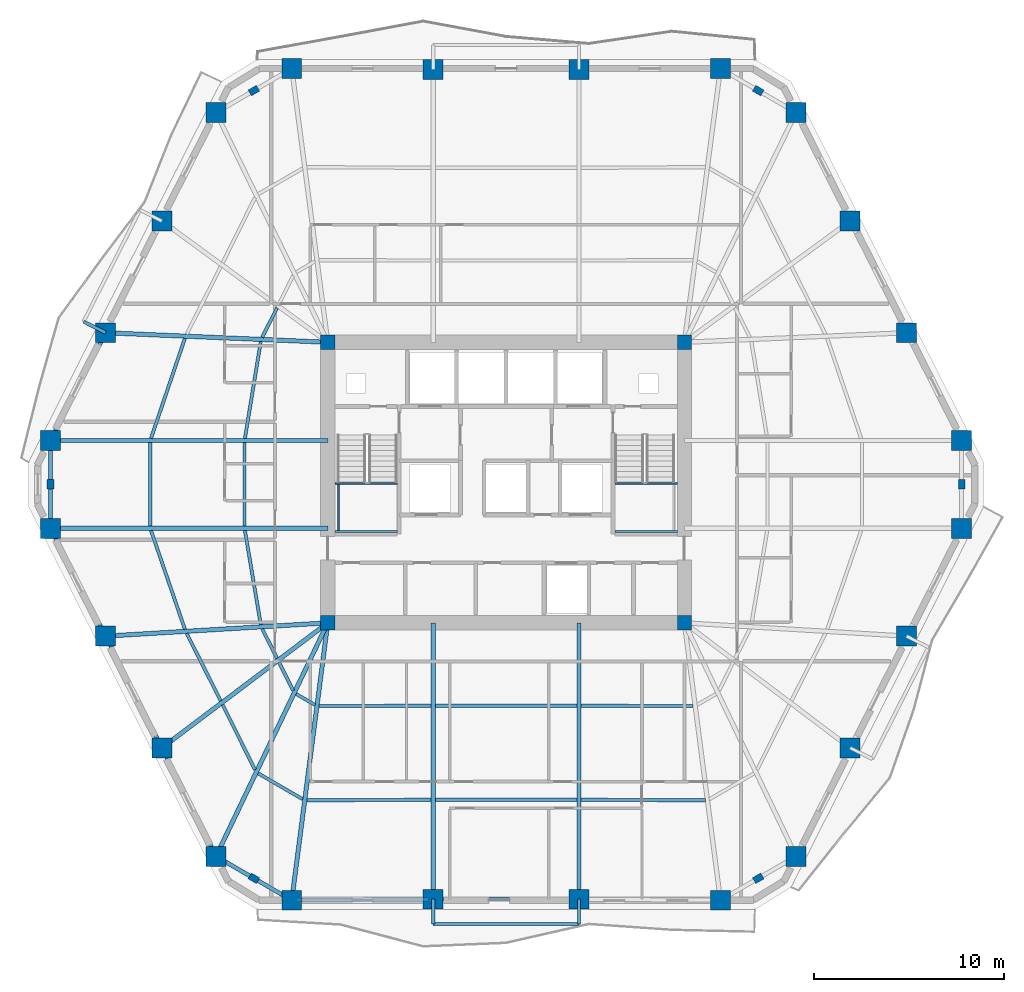
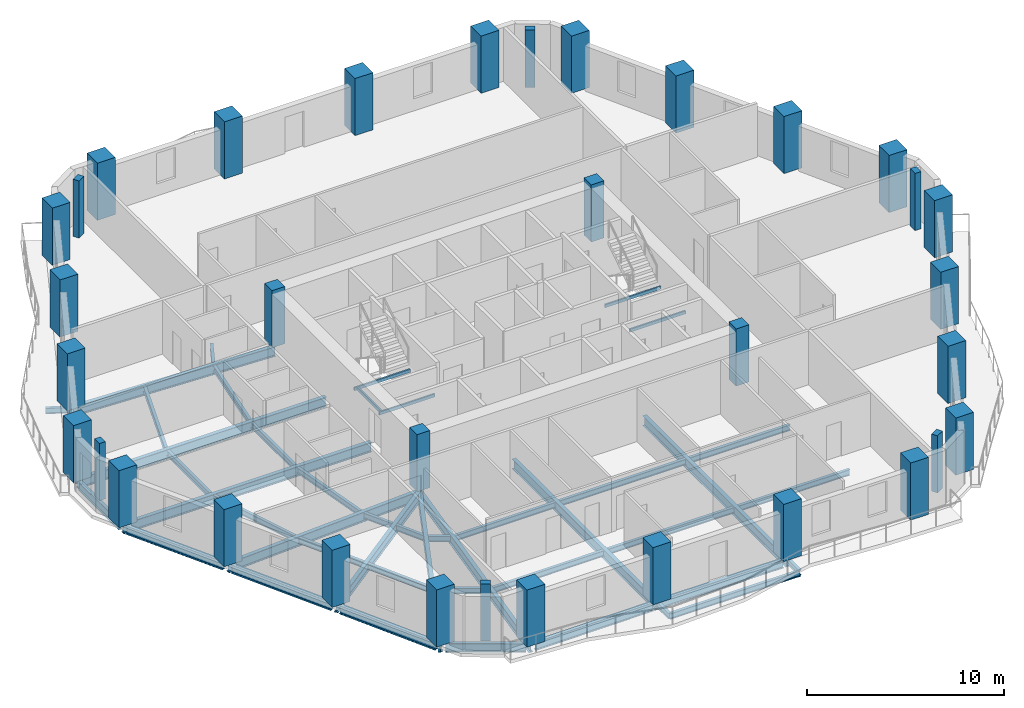
# One storey, part 1 of 10: 45 beams, 34 columns.
"""IFC4 building model written with IfcOpenShell, lengths in metres."""

import ifcopenshell
import ifcopenshell.guid

model = None  # the IFC model being written
_history = None  # IfcOwnerHistory: only IFC2X3 demands one
_inside = {}  # id of a spatial element -> (the spatial element, [elements in it])
_under = {}  # id of a project, library or spatial element -> (it, [spatial elements below it])
_declared = {}  # id of a project -> (the project, [libraries it declares])
_typed = {}  # id of a type object -> (the type object, [elements of that type])
_made_of = {}  # id of a material, layer set ... -> (it, [elements and type objects made of it])


def new_model(schema):
    """Start an empty IFC model of exactly this schema.

    Asked for "IFC4X3", IfcOpenShell would pick the latest addendum, in which some entities
    have other attributes; the version numbers below select the first issue.
    IFC2X3 requires an IfcOwnerHistory on every rooted entity: one is made here for all.
    """
    global model, _history
    if schema == "IFC4X3":
        model = ifcopenshell.file(schema_version=(4, 3, 0, 0))
    else:
        model = ifcopenshell.file(schema=schema)
    _inside.clear()
    _under.clear()
    _declared.clear()
    _typed.clear()
    _made_of.clear()
    _history = None
    if model.schema == "IFC2X3":
        org = make("IfcOrganization", Name="unknown")
        user = make(
            "IfcPersonAndOrganization",
            ThePerson=make("IfcPerson", FamilyName="unknown"),
            TheOrganization=org,
        )
        app = make(
            "IfcApplication",
            ApplicationDeveloper=org,
            Version="unknown",
            ApplicationFullName="unknown",
            ApplicationIdentifier="unknown",
        )
        _history = make(
            "IfcOwnerHistory",
            OwningUser=user,
            OwningApplication=app,
            ChangeAction="ADDED",
            CreationDate=0,
        )
    return model


def make(cls, **values):
    """One entity of the class cls with the attributes given. An attribute that is None is left unset."""
    return model.create_entity(
        cls, **{name: value for name, value in values.items() if value is not None}
    )


def rooted(cls, **values):
    """An entity with a GlobalId (a new one), such as an element, a storey or a relation."""
    return make(cls, GlobalId=ifcopenshell.guid.new(), OwnerHistory=_history, **values)


def si_unit(unit_type, name, prefix=None):
    """IfcSIUnit, for example si_unit("LENGTHUNIT", "METRE", prefix="MILLI")."""
    return make("IfcSIUnit", UnitType=unit_type, Prefix=prefix, Name=name)


def assignment(units):
    """IfcUnitAssignment: the units of a project."""
    return None if units is None else make("IfcUnitAssignment", Units=units)


def point(xyz):
    """IfcCartesianPoint."""
    return None if xyz is None else make("IfcCartesianPoint", Coordinates=xyz)


def direction(xyz):
    """IfcDirection."""
    return None if xyz is None else make("IfcDirection", DirectionRatios=xyz)


def frame(location, z_axis=None, x_axis=None):
    """IfcAxis2Placement3D, a coordinate frame: its origin and axes. An axis left out is left unset."""
    return make(
        "IfcAxis2Placement3D",
        Location=point(location),
        Axis=direction(z_axis),
        RefDirection=direction(x_axis),
    )


def frame_2d(location, x_axis=None):
    """IfcAxis2Placement2D, a coordinate frame in the plane: its origin and x axis."""
    return make(
        "IfcAxis2Placement2D", Location=point(location), RefDirection=direction(x_axis)
    )


def origin():
    """The frame at (0, 0, 0) with its axes left unset."""
    return frame((0.0, 0.0, 0.0))


def origin_2d():
    """The frame at (0, 0) in the plane with its x axis left unset."""
    return frame_2d((0.0, 0.0))


def place(relative_to, where):
    """IfcLocalPlacement: puts the frame where relative to a parent placement (None: the world)."""
    return make(
        "IfcLocalPlacement", PlacementRelTo=relative_to, RelativePlacement=where
    )


def context(
    kind, dimensions, precision=None, world=None, true_north=None, identifier=None
):
    """IfcGeometricRepresentationContext, for example the 3D "Model" context."""
    return make(
        "IfcGeometricRepresentationContext",
        ContextIdentifier=identifier,
        ContextType=kind,
        CoordinateSpaceDimension=dimensions,
        Precision=precision,
        WorldCoordinateSystem=world,
        TrueNorth=true_north,
    )


def subcontext(parent, identifier, kind, view, scale=None):
    """IfcGeometricRepresentationSubContext, for example "Body" below "Model"."""
    return make(
        "IfcGeometricRepresentationSubContext",
        ContextIdentifier=identifier,
        ContextType=kind,
        ParentContext=parent,
        TargetScale=scale,
        TargetView=view,
    )


def project(units=None, contexts=None):
    """IfcProject with its units and contexts."""
    return rooted(
        "IfcProject",
        Name="project",
        RepresentationContexts=contexts,
        UnitsInContext=assignment(units),
    )


def spatial(cls, under=None, at=None, **own):
    """A site, building, storey or space (cls), placed at a placement, below another one or the project."""
    s = rooted(cls, ObjectPlacement=at, **own)
    if under is not None:
        _under.setdefault(under.id(), (under, []))[1].append(s)
    return s


def profile(cls, at=None, kind="AREA", **sizes):
    """A parametric profile (cls). Its sizes go by their IFC names, for example OverallWidth=200.0."""
    return make(cls, ProfileType=kind, Position=at, **sizes)


def rectangle(**sizes):
    """IfcRectangleProfileDef."""
    return profile("IfcRectangleProfileDef", **sizes)


def hollow_rectangle(**sizes):
    """IfcRectangleHollowProfileDef."""
    return profile("IfcRectangleHollowProfileDef", **sizes)


def i_section(**sizes):
    """IfcIShapeProfileDef."""
    return profile("IfcIShapeProfileDef", **sizes)


def extrude(swept, where, along, depth):
    """IfcExtrudedAreaSolid: the profile swept, set in the frame where, extruded along a direction by depth."""
    return make(
        "IfcExtrudedAreaSolid",
        SweptArea=swept,
        Position=where,
        ExtrudedDirection=direction(along),
        Depth=depth,
    )


def shape(context_of_items, identifier, shape_type, items):
    """IfcShapeRepresentation: the items that make up one representation, for example the "Body"."""
    return make(
        "IfcShapeRepresentation",
        ContextOfItems=context_of_items,
        RepresentationIdentifier=identifier,
        RepresentationType=shape_type,
        Items=items,
    )


def material(Name=None, Category=None):
    """IfcMaterial."""
    return make("IfcMaterial", Name=Name, Category=Category)


def material_profile(
    of_material, cross_section, Name=None, Category=None, Priority=None
):
    """IfcMaterialProfile: a cross section and its material."""
    return make(
        "IfcMaterialProfile",
        Name=Name,
        Material=of_material,
        Profile=cross_section,
        Priority=Priority,
        Category=Category,
    )


def profile_set(profiles, Name=None, composite=None):
    """IfcMaterialProfileSet."""
    return make(
        "IfcMaterialProfileSet",
        Name=Name,
        MaterialProfiles=profiles,
        CompositeProfile=composite,
    )


def made_of(thing, what):
    """Note that an element or type object is made of a material, layer set ...; save() writes the relation."""
    if what is not None:
        _made_of.setdefault(what.id(), (what, []))[1].append(thing)
    return thing


def type_object(cls, material=None, **own):
    """A type object (cls), such as IfcWallType, which elements share."""
    return made_of(rooted(cls, **own), material)


def element(
    cls,
    number,
    at=None,
    inside=None,
    cuts=None,
    type_object=None,
    material=None,
    context=None,
    identifier="Body",
    shape_type=None,
    held_by="IfcProductDefinitionShape",
    body=None,
    shapes=None,
    **own,
):
    """One element of the class cls, such as IfcWall. Its Tag is "e" and its number.

    at: its placement. inside: the storey or other place that contains it. cuts: it is an
    opening in that element (IfcRelVoidsElement). A single representation is given by context,
    identifier, shape_type and body (its items); several are given by shapes. held_by: the class
    of the entity that holds the representations. save() writes the other relations.
    """
    e = rooted(cls, Tag="e%d" % number, ObjectPlacement=at, **own)
    if body is not None:
        shapes = [shape(context, identifier, shape_type, body)]
    if shapes is not None:
        e.Representation = make(held_by, Representations=shapes)
    if inside is not None:
        _inside.setdefault(inside.id(), (inside, []))[1].append(e)
    if cuts is not None:
        rooted(
            "IfcRelVoidsElement", RelatingBuildingElement=cuts, RelatedOpeningElement=e
        )
    if type_object is not None:
        _typed.setdefault(type_object.id(), (type_object, []))[1].append(e)
    return made_of(e, material)


def aggregate(whole, parts):
    """IfcRelAggregates: a whole, such as a stair, and the parts it consists of."""
    return rooted("IfcRelAggregates", RelatingObject=whole, RelatedObjects=parts)


def save(model, path):
    """Write the relations noted so far, then the file.

    IfcRelAggregates (storeys below a building ...), IfcRelContainedInSpatialStructure (elements
    in a storey), IfcRelDefinesByType, IfcRelAssociatesMaterial and IfcRelDeclares: one each for
    every whole, place, type object, material and project.
    """
    for whole, parts in _under.values():
        aggregate(whole, parts)
    for where, things in _inside.values():
        rooted(
            "IfcRelContainedInSpatialStructure",
            RelatedElements=things,
            RelatingStructure=where,
        )
    for kind, things in _typed.values():
        rooted("IfcRelDefinesByType", RelatedObjects=things, RelatingType=kind)
    for what, things in _made_of.values():
        rooted("IfcRelAssociatesMaterial", RelatedObjects=things, RelatingMaterial=what)
    for by, libraries in _declared.values():
        rooted("IfcRelDeclares", RelatingContext=by, RelatedDefinitions=libraries)
    model.write(path)


model = new_model("IFC4")

# Units and contexts
model_context = context("Model", 3, precision=1e-05, world=origin(), true_north=direction((0.0, 1.0)))
body_context = subcontext(model_context, "Body", "Model", "MODEL_VIEW")
ifc_project = project(units=[si_unit("LENGTHUNIT", "METRE"), si_unit("AREAUNIT", "SQUARE_METRE"), si_unit("VOLUMEUNIT", "CUBIC_METRE"), si_unit("PLANEANGLEUNIT", "RADIAN"), si_unit("MASSUNIT", "GRAM", prefix="KILO")], contexts=[model_context])

# Site, building, storey
site_placement = place(None, origin())
site = spatial("IfcSite", under=ifc_project, at=site_placement, CompositionType="ELEMENT")
building_placement = place(site_placement, origin())
building = spatial("IfcBuilding", under=site, at=building_placement, Name="Cinnabar Lancet Tower", CompositionType="ELEMENT")
storey_placement = place(building_placement, frame((0.0, 0.0, 119.699951171875)))
storey = spatial("IfcBuildingStorey", under=building, at=storey_placement, Name="L31", CompositionType="ELEMENT", Elevation=119.699951171875)

# Columns
ifc_material_1 = material(Name="Concrete C70/85", Category="concrete")
ifc_material_profile_1 = material_profile(ifc_material_1, rectangle(XDim=0.75, YDim=0.75, at=origin_2d()), Name="RC-COL 750x750")
ifc_profile_set_1 = profile_set([ifc_material_profile_1], Name="Concrete C70/85")
column_type_1 = type_object("IfcColumnType", Name="STR-COL-CORE-750", PredefinedType="COLUMN", material=ifc_profile_set_1)
for number, where, z_axis, x_axis, name in (
    (1, (23.02490234375, 18.52490234375, 0.0), (0.0, 0.0, 1.0), (1.0, 0.0, 0.0), "L31 Core Corner Column SW"),
    (2, (41.77490234375, 18.52490234375, 0.0), (0.0, 0.0, 1.0), (1.0, 0.0, 0.0), "L31 Core Corner Column SE"),
    (3, (41.77490234375, 33.27490234375, 0.0), (0.0, 0.0, 1.0), (1.0, 0.0, 0.0), "L31 Core Corner Column NE"),
    (4, (23.02490234375, 33.27490234375, 0.0), (0.0, 0.0, 1.0), (1.0, 0.0, 0.0), "L31 Core Corner Column NW"),
):
    element("IfcColumn", number, at=place(storey_placement, frame(where, z_axis=z_axis, x_axis=x_axis)), inside=storey, type_object=column_type_1, Name=name, PredefinedType="COLUMN", context=body_context, shape_type="SweptSolid", body=[
        extrude(rectangle(XDim=0.75, YDim=0.75, at=origin_2d()), origin(), (0.0, 0.0, 1.0), 3.550048828125),
    ])
ifc_material_2 = material(Name="Concrete C60/75", Category="concrete")
ifc_material_profile_2 = material_profile(ifc_material_2, rectangle(XDim=0.5, YDim=0.35009765625, at=origin_2d()), Name="RC-PIL 500x350")
ifc_profile_set_2 = profile_set([ifc_material_profile_2], Name="Concrete C60/75")
column_type_2 = type_object("IfcColumnType", Name="STR-COL-PIL-500", PredefinedType="PILASTER", material=ifc_profile_set_2)
for number, where, z_axis, x_axis, name in (
    (5, (19.14111328125, 5.093017578125, 0.0), (0.0, 0.0, 1.0), (0.865160173452, -0.501495637342, 0.0), "L31 Chamfered Corner Pilaster 1"),
    (6, (45.658935546875, 5.093017578125, 0.0), (0.0, 0.0, 1.0), (0.865160173452, 0.501495637342, 0.0), "L31 Chamfered Corner Pilaster 2"),
    (7, (56.35693359375, 25.800048828125, 0.0), (0.0, 0.0, 1.0), (0.0, 1.0, 0.0), "L31 Chamfered Corner Pilaster 3"),
    (8, (45.658935546875, 46.508056640625, 0.0), (0.0, 0.0, 1.0), (-0.865160173452, 0.501495637342, 0.0), "L31 Chamfered Corner Pilaster 4"),
    (9, (19.14111328125, 46.508056640625, 0.0), (0.0, 0.0, 1.0), (-0.865160173452, -0.501495637342, 0.0), "L31 Chamfered Corner Pilaster 5"),
    (10, (8.443115234375, 25.800048828125, 0.0), (0.0, 0.0, 1.0), (0.0, -1.0, 0.0), "L31 Chamfered Corner Pilaster 6"),
):
    element("IfcColumn", number, at=place(storey_placement, frame(where, z_axis=z_axis, x_axis=x_axis)), inside=storey, type_object=column_type_2, Name=name, PredefinedType="PILASTER", context=body_context, shape_type="SweptSolid", body=[
        extrude(rectangle(XDim=0.5, YDim=0.35009765625, at=origin_2d()), origin(), (0.0, 0.0, 1.0), 3.550048828125),
    ])
ifc_material_3 = material(Name="Concrete C70/85", Category="concrete")
ifc_material_profile_3 = material_profile(ifc_material_3, rectangle(XDim=1.050048828125, YDim=1.050048828125, at=origin_2d()), Name="RC-COL 1050x1050")
ifc_profile_set_3 = profile_set([ifc_material_profile_3], Name="Concrete C70/85")
column_type_3 = type_object("IfcColumnType", Name="STR-COL-TUBE-1050", PredefinedType="COLUMN", material=ifc_profile_set_3)
for number, where, z_axis, x_axis, name in (
    (11, (21.131103515625, 3.93896484375, 0.0), (0.0, 0.0, 1.0), (1.0, 0.0, 0.0), "L31 Perimeter Tube Column 1"),
    (12, (28.568115234375, 3.991943359375, 0.0), (0.0, 0.0, 1.0), (1.0, 0.0, 0.0), "L31 Perimeter Tube Column 2"),
    (13, (36.23193359375, 3.991943359375, 0.0), (0.0, 0.0, 1.0), (1.0, 0.0, 0.0), "L31 Perimeter Tube Column 3"),
    (14, (43.6689453125, 3.93896484375, 0.0), (0.0, 0.0, 1.0), (1.0, 0.0, 0.0), "L31 Perimeter Tube Column 4"),
    (15, (47.64892578125, 6.24609375, 0.0), (0.0, 0.0, 1.0), (1.0, 0.0, 0.0), "L31 Perimeter Tube Column 5"),
    (16, (50.489013671875, 11.955078125, 0.0), (0.0, 0.0, 1.0), (1.0, 0.0, 0.0), "L31 Perimeter Tube Column 6"),
    (17, (53.451904296875, 17.823974609375, 0.0), (0.0, 0.0, 1.0), (1.0, 0.0, 0.0), "L31 Perimeter Tube Column 7"),
    (18, (56.35693359375, 23.490966796875, 0.0), (0.0, 0.0, 1.0), (1.0, 0.0, 0.0), "L31 Perimeter Tube Column 8"),
    (19, (56.35693359375, 28.10888671875, 0.0), (0.0, 0.0, 1.0), (1.0, 0.0, 0.0), "L31 Perimeter Tube Column 9"),
    (20, (53.451904296875, 33.77587890625, 0.0), (0.0, 0.0, 1.0), (1.0, 0.0, 0.0), "L31 Perimeter Tube Column 10"),
    (21, (50.489013671875, 39.64501953125, 0.0), (0.0, 0.0, 1.0), (1.0, 0.0, 0.0), "L31 Perimeter Tube Column 11"),
    (22, (47.64892578125, 45.35400390625, 0.0), (0.0, 0.0, 1.0), (1.0, 0.0, 0.0), "L31 Perimeter Tube Column 12"),
    (23, (43.6689453125, 47.660888671875, 0.0), (0.0, 0.0, 1.0), (1.0, 0.0, 0.0), "L31 Perimeter Tube Column 13"),
    (24, (36.23193359375, 47.60791015625, 0.0), (0.0, 0.0, 1.0), (1.0, 0.0, 0.0), "L31 Perimeter Tube Column 14"),
    (25, (28.568115234375, 47.60791015625, 0.0), (0.0, 0.0, 1.0), (1.0, 0.0, 0.0), "L31 Perimeter Tube Column 15"),
    (26, (21.131103515625, 47.660888671875, 0.0), (0.0, 0.0, 1.0), (1.0, 0.0, 0.0), "L31 Perimeter Tube Column 16"),
    (27, (17.15087890625, 45.35400390625, 0.0), (0.0, 0.0, 1.0), (1.0, 0.0, 0.0), "L31 Perimeter Tube Column 17"),
    (28, (14.31103515625, 39.64501953125, 0.0), (0.0, 0.0, 1.0), (1.0, 0.0, 0.0), "L31 Perimeter Tube Column 18"),
    (29, (11.347900390625, 33.77587890625, 0.0), (0.0, 0.0, 1.0), (1.0, 0.0, 0.0), "L31 Perimeter Tube Column 19"),
    (30, (8.443115234375, 28.10888671875, 0.0), (0.0, 0.0, 1.0), (1.0, 0.0, 0.0), "L31 Perimeter Tube Column 20"),
    (31, (8.443115234375, 23.490966796875, 0.0), (0.0, 0.0, 1.0), (1.0, 0.0, 0.0), "L31 Perimeter Tube Column 21"),
    (32, (11.347900390625, 17.823974609375, 0.0), (0.0, 0.0, 1.0), (1.0, 0.0, 0.0), "L31 Perimeter Tube Column 22"),
    (33, (14.31103515625, 11.955078125, 0.0), (0.0, 0.0, 1.0), (1.0, 0.0, 0.0), "L31 Perimeter Tube Column 23"),
    (34, (17.15087890625, 6.24609375, 0.0), (0.0, 0.0, 1.0), (1.0, 0.0, 0.0), "L31 Perimeter Tube Column 24"),
):
    element("IfcColumn", number, at=place(storey_placement, frame(where, z_axis=z_axis, x_axis=x_axis)), inside=storey, type_object=column_type_3, Name=name, PredefinedType="COLUMN", context=body_context, shape_type="SweptSolid", body=[
        extrude(rectangle(XDim=1.050048828125, YDim=1.050048828125, at=origin_2d()), origin(), (0.0, 0.0, 1.0), 3.550048828125),
    ])

# Beams
ifc_material_4 = material(Name="Structural steel S355", Category="steel")
ifc_material_profile_4 = material_profile(ifc_material_4, i_section(OverallWidth=0.17138671875, OverallDepth=0.35498046875, WebThickness=0.00732421875, FlangeThickness=0.011474609375, FilletRadius=0.01025390625, at=origin_2d()), Name="UKB 356x171x51")
ifc_profile_set_4 = profile_set([ifc_material_profile_4], Name="Structural steel S355")
beam_type_1 = type_object("IfcBeamType", Name="STR-BM-JST-356", PredefinedType="JOIST", material=ifc_profile_set_4)
beam_1_placement = place(storey_placement, frame((13.73193359375, 23.376953125, -0.387939453125), z_axis=(0.324639458548, -0.945837841257, 0.0), x_axis=(0.945837841257, 0.324639458548, 0.0)))
element("IfcBeam", 35, at=beam_1_placement, inside=storey, type_object=beam_type_1, Name="L31 Secondary Floor Joist 1", PredefinedType="JOIST", context=body_context, shape_type="SweptSolid", body=[
    extrude(i_section(OverallWidth=0.17138671875, OverallDepth=0.35498046875, WebThickness=0.00732421875, FlangeThickness=0.011474609375, FilletRadius=0.01025390625, at=origin_2d()), origin(), (0.0, 0.0, 1.0), 5.486083984375),
])
beam_2_placement = place(storey_placement, frame((18.669921875, 23.376953125, -0.387939453125), z_axis=(0.165984412241, -0.986128376477, 0.0), x_axis=(0.986128376477, 0.165984412241, 0.0)))
element("IfcBeam", 36, at=beam_2_placement, inside=storey, type_object=beam_type_1, Name="L31 Secondary Floor Joist 2", PredefinedType="JOIST", context=body_context, shape_type="SweptSolid", body=[
    extrude(i_section(OverallWidth=0.17138671875, OverallDepth=0.35498046875, WebThickness=0.00732421875, FlangeThickness=0.011474609375, FilletRadius=0.01025390625, at=origin_2d()), origin(), (0.0, 0.0, 1.0), 5.0185546875),
])
beam_3_placement = place(storey_placement, frame((15.60791015625, 17.965087890625, -0.387939453125), z_axis=(0.450755070916, -0.892647671841, 0.0), x_axis=(0.892647671841, 0.450755070916, 0.0)))
element("IfcBeam", 37, at=beam_3_placement, inside=storey, type_object=beam_type_1, Name="L31 Secondary Floor Joist 3", PredefinedType="JOIST", context=body_context, shape_type="SweptSolid", body=[
    extrude(i_section(OverallWidth=0.17138671875, OverallDepth=0.35498046875, WebThickness=0.00732421875, FlangeThickness=0.011474609375, FilletRadius=0.01025390625, at=origin_2d()), origin(), (0.0, 0.0, 1.0), 3.966796875),
])
beam_4_placement = place(storey_placement, frame((19.577880859375, 18.2041015625, -0.387939453125), z_axis=(0.450874341268, -0.892587434589, 0.0), x_axis=(0.892587434589, 0.450874341268, 0.0)))
element("IfcBeam", 38, at=beam_4_placement, inside=storey, type_object=beam_type_1, Name="L31 Secondary Floor Joist 4", PredefinedType="JOIST", context=body_context, shape_type="SweptSolid", body=[
    extrude(i_section(OverallWidth=0.17138671875, OverallDepth=0.35498046875, WebThickness=0.00732421875, FlangeThickness=0.011474609375, FilletRadius=0.01025390625, at=origin_2d()), origin(), (0.0, 0.0, 1.0), 1.732177734375),
])
beam_5_placement = place(storey_placement, frame((17.5, 14.216064453125, -0.387939453125), z_axis=(0.445295120803, -0.895383859241, 0.0), x_axis=(0.895383859241, 0.445295120803, 0.0)))
element("IfcBeam", 39, at=beam_5_placement, inside=storey, type_object=beam_type_1, Name="L31 Secondary Floor Joist 5", PredefinedType="JOIST", context=body_context, shape_type="SweptSolid", body=[
    extrude(i_section(OverallWidth=0.17138671875, OverallDepth=0.35498046875, WebThickness=0.00732421875, FlangeThickness=0.011474609375, FilletRadius=0.01025390625, at=origin_2d()), origin(), (0.0, 0.0, 1.0), 3.81982421875),
])
beam_6_placement = place(storey_placement, frame((20.4619140625, 16.449951171875, -0.387939453125), z_axis=(0.445557690111, -0.895253229418, 0.0), x_axis=(0.895253229418, 0.445557690111, 0.0)))
element("IfcBeam", 40, at=beam_6_placement, inside=storey, type_object=beam_type_1, Name="L31 Secondary Floor Joist 6", PredefinedType="JOIST", context=body_context, shape_type="SweptSolid", body=[
    extrude(i_section(OverallWidth=0.17138671875, OverallDepth=0.35498046875, WebThickness=0.00732421875, FlangeThickness=0.011474609375, FilletRadius=0.01025390625, at=origin_2d()), origin(), (0.0, 0.0, 1.0), 1.652099609375),
])
beam_7_placement = place(storey_placement, frame((19.364990234375, 10.60888671875, -0.387939453125), z_axis=(0.865172906898, -0.501473669469, 0.0), x_axis=(0.501473669469, 0.865172906898, 0.0)))
element("IfcBeam", 41, at=beam_7_placement, inside=storey, type_object=beam_type_1, Name="L31 Secondary Floor Joist 7", PredefinedType="JOIST", context=body_context, shape_type="SweptSolid", body=[
    extrude(i_section(OverallWidth=0.17138671875, OverallDepth=0.35498046875, WebThickness=0.00732421875, FlangeThickness=0.011474609375, FilletRadius=0.01025390625, at=origin_2d()), origin(), (0.0, 0.0, 1.0), 2.705810546875),
])
beam_8_placement = place(storey_placement, frame((21.362060546875, 14.783935546875, -0.387939453125), z_axis=(0.865055308165, -0.501676503154, 0.0), x_axis=(0.501676503154, 0.865055308165, 0.0)))
element("IfcBeam", 42, at=beam_8_placement, inside=storey, type_object=beam_type_1, Name="L31 Secondary Floor Joist 8", PredefinedType="JOIST", context=body_context, shape_type="SweptSolid", body=[
    extrude(i_section(OverallWidth=0.17138671875, OverallDepth=0.35498046875, WebThickness=0.00732421875, FlangeThickness=0.011474609375, FilletRadius=0.01025390625, at=origin_2d()), origin(), (0.0, 0.0, 1.0), 1.14208984375),
])
beam_9_placement = place(storey_placement, frame((21.927978515625, 9.19091796875, -0.387939453125), z_axis=(0.999987991898, 0.004900618269, 0.0), x_axis=(-0.004900618269, 0.999987991898, 0.0)))
element("IfcBeam", 43, at=beam_9_placement, inside=storey, type_object=beam_type_1, Name="L31 Secondary Floor Joist 9", PredefinedType="JOIST", context=body_context, shape_type="SweptSolid", body=[
    extrude(i_section(OverallWidth=0.17138671875, OverallDepth=0.35498046875, WebThickness=0.00732421875, FlangeThickness=0.011474609375, FilletRadius=0.01025390625, at=origin_2d()), origin(), (0.0, 0.0, 1.0), 6.526123046875),
])
beam_10_placement = place(storey_placement, frame((22.572021484375, 14.14892578125, -0.387939453125), z_axis=(0.999996247906, 0.002739374605, 0.0), x_axis=(-0.002739374605, 0.999996247906, 0.0)))
element("IfcBeam", 44, at=beam_10_placement, inside=storey, type_object=beam_type_1, Name="L31 Secondary Floor Joist 10", PredefinedType="JOIST", context=body_context, shape_type="SweptSolid", body=[
    extrude(i_section(OverallWidth=0.17138671875, OverallDepth=0.35498046875, WebThickness=0.00732421875, FlangeThickness=0.011474609375, FilletRadius=0.01025390625, at=origin_2d()), origin(), (0.0, 0.0, 1.0), 5.882080078125),
])
for number, where, z_axis, x_axis, name in (
    (45, (28.681884765625, 9.22412109375, -0.387939453125), (1.0, 0.0, 0.0), (0.0, 1.0, 0.0), "L31 Secondary Floor Joist 11"),
    (46, (28.681884765625, 14.1650390625, -0.387939453125), (1.0, 0.0, 0.0), (0.0, 1.0, 0.0), "L31 Secondary Floor Joist 12"),
):
    element("IfcBeam", number, at=place(storey_placement, frame(where, z_axis=z_axis, x_axis=x_axis)), inside=storey, type_object=beam_type_1, Name=name, PredefinedType="JOIST", context=body_context, shape_type="SweptSolid", body=[
        extrude(i_section(OverallWidth=0.17138671875, OverallDepth=0.35498046875, WebThickness=0.00732421875, FlangeThickness=0.011474609375, FilletRadius=0.01025390625, at=origin_2d()), origin(), (0.0, 0.0, 1.0), 7.43603515625),
    ])
beam_11_placement = place(storey_placement, frame((36.345947265625, 9.222900390625, -0.387939453125), z_axis=(0.999987991898, -0.004900618269, 0.0), x_axis=(0.004900618269, 0.999987991898, 0.0)))
element("IfcBeam", 47, at=beam_11_placement, inside=storey, type_object=beam_type_1, Name="L31 Secondary Floor Joist 13", PredefinedType="JOIST", context=body_context, shape_type="SweptSolid", body=[
    extrude(i_section(OverallWidth=0.17138671875, OverallDepth=0.35498046875, WebThickness=0.00732421875, FlangeThickness=0.011474609375, FilletRadius=0.01025390625, at=origin_2d()), origin(), (0.0, 0.0, 1.0), 6.526123046875),
])
beam_12_placement = place(storey_placement, frame((36.345947265625, 14.1650390625, -0.387939453125), z_axis=(0.999996247906, -0.002739374605, 0.0), x_axis=(0.002739374605, 0.999996247906, 0.0)))
element("IfcBeam", 48, at=beam_12_placement, inside=storey, type_object=beam_type_1, Name="L31 Secondary Floor Joist 14", PredefinedType="JOIST", context=body_context, shape_type="SweptSolid", body=[
    extrude(i_section(OverallWidth=0.17138671875, OverallDepth=0.35498046875, WebThickness=0.00732421875, FlangeThickness=0.011474609375, FilletRadius=0.01025390625, at=origin_2d()), origin(), (0.0, 0.0, 1.0), 5.882080078125),
])
beam_13_placement = place(storey_placement, frame((20.35888671875, 35.0830078125, -0.387939453125), z_axis=(-0.450931068976, -0.892558777354, 0.0), x_axis=(0.892558777354, -0.450931068976, 0.0)))
element("IfcBeam", 49, at=beam_13_placement, inside=storey, type_object=beam_type_1, Name="L31 Secondary Floor Joist 44", PredefinedType="JOIST", context=body_context, shape_type="SweptSolid", body=[
    extrude(i_section(OverallWidth=0.17138671875, OverallDepth=0.35498046875, WebThickness=0.00732421875, FlangeThickness=0.011474609375, FilletRadius=0.01025390625, at=origin_2d()), origin(), (0.0, 0.0, 1.0), 1.73193359375),
])
beam_14_placement = place(storey_placement, frame((15.513916015625, 33.48291015625, -0.387939453125), z_axis=(-0.321023911172, -0.947071089442, 0.0), x_axis=(0.947071089442, -0.321023911172, 0.0)))
element("IfcBeam", 50, at=beam_14_placement, inside=storey, type_object=beam_type_1, Name="L31 Secondary Floor Joist 45", PredefinedType="JOIST", context=body_context, shape_type="SweptSolid", body=[
    extrude(i_section(OverallWidth=0.17138671875, OverallDepth=0.35498046875, WebThickness=0.00732421875, FlangeThickness=0.011474609375, FilletRadius=0.01025390625, at=origin_2d()), origin(), (0.0, 0.0, 1.0), 5.553955078125),
])
beam_15_placement = place(storey_placement, frame((19.5029296875, 33.31201171875, -0.387939453125), z_axis=(-0.161719098977, -0.986836832017, 0.0), x_axis=(0.986836832017, -0.161719098977, 0.0)))
element("IfcBeam", 51, at=beam_15_placement, inside=storey, type_object=beam_type_1, Name="L31 Secondary Floor Joist 46", PredefinedType="JOIST", context=body_context, shape_type="SweptSolid", body=[
    extrude(i_section(OverallWidth=0.17138671875, OverallDepth=0.35498046875, WebThickness=0.00732421875, FlangeThickness=0.011474609375, FilletRadius=0.01025390625, at=origin_2d()), origin(), (0.0, 0.0, 1.0), 5.156982421875),
])
for number, where, z_axis, x_axis, name in (
    (52, (13.693115234375, 27.9951171875, -0.387939453125), (0.0, -1.0, 0.0), (1.0, 0.0, 0.0), "L31 Secondary Floor Joist 47"),
    (53, (18.64990234375, 27.9951171875, -0.387939453125), (0.0, -1.0, 0.0), (1.0, 0.0, 0.0), "L31 Secondary Floor Joist 48"),
):
    element("IfcBeam", number, at=place(storey_placement, frame(where, z_axis=z_axis, x_axis=x_axis)), inside=storey, type_object=beam_type_1, Name=name, PredefinedType="JOIST", context=body_context, shape_type="SweptSolid", body=[
        extrude(i_section(OverallWidth=0.17138671875, OverallDepth=0.35498046875, WebThickness=0.00732421875, FlangeThickness=0.011474609375, FilletRadius=0.01025390625, at=origin_2d()), origin(), (0.0, 0.0, 1.0), 4.39013671875),
    ])
ifc_material_5 = material(Name="Structural steel S355", Category="steel")
ifc_material_profile_5 = material_profile(ifc_material_5, hollow_rectangle(XDim=0.10009765625, YDim=0.199951171875, WallThickness=0.008056640625, InnerFilletRadius=0.00390625, OuterFilletRadius=0.011962890625, at=origin_2d()), Name="RHS 200x100x8")
ifc_profile_set_5 = profile_set([ifc_material_profile_5], Name="Structural steel S355")
beam_type_2 = type_object("IfcBeamType", Name="STR-BM-LND-203", PredefinedType="BEAM", material=ifc_profile_set_5)
for number, where, z_axis, x_axis, name in (
    (54, (23.39990234375, 23.330078125, 1.47509765625), (1.0, 0.0, 0.0), (0.0, 1.0, 0.0), "L31 ST-1-L31 Landing Support Beam S"),
    (55, (23.39990234375, 25.844970703125, 1.47509765625), (1.0, 0.0, 0.0), (0.0, 1.0, 0.0), "L31 ST-1-L31 Landing Support Beam N"),
):
    element("IfcBeam", number, at=place(storey_placement, frame(where, z_axis=z_axis, x_axis=x_axis)), inside=storey, type_object=beam_type_2, Name=name, PredefinedType="BEAM", context=body_context, shape_type="SweptSolid", body=[
        extrude(hollow_rectangle(XDim=0.10009765625, YDim=0.199951171875, WallThickness=0.008056640625, InnerFilletRadius=0.00390625, OuterFilletRadius=0.011962890625, at=origin_2d()), origin(), (0.0, 0.0, 1.0), 3.280029296875),
    ])
beam_16_placement = place(storey_placement, frame((23.580078125, 23.3798828125, 1.47509765625), z_axis=(0.0, 1.0, 0.0), x_axis=(-1.0, 0.0, 0.0)))
element("IfcBeam", 56, at=beam_16_placement, inside=storey, type_object=beam_type_2, Name="L31 ST-1-L31 Landing Side Trimmer Beam", PredefinedType="BEAM", context=body_context, shape_type="SweptSolid", body=[
    extrude(hollow_rectangle(XDim=0.10009765625, YDim=0.199951171875, WallThickness=0.008056640625, InnerFilletRadius=0.00390625, OuterFilletRadius=0.011962890625, at=origin_2d()), origin(), (0.0, 0.0, 1.0), 2.4150390625),
])
for number, where, z_axis, x_axis, name in (
    (57, (38.1201171875, 23.330078125, 1.47509765625), (1.0, 0.0, 0.0), (0.0, 1.0, 0.0), "L31 ST-2-L31 Landing Support Beam S"),
    (58, (38.1201171875, 25.844970703125, 1.47509765625), (1.0, 0.0, 0.0), (0.0, 1.0, 0.0), "L31 ST-2-L31 Landing Support Beam N"),
):
    element("IfcBeam", number, at=place(storey_placement, frame(where, z_axis=z_axis, x_axis=x_axis)), inside=storey, type_object=beam_type_2, Name=name, PredefinedType="BEAM", context=body_context, shape_type="SweptSolid", body=[
        extrude(hollow_rectangle(XDim=0.10009765625, YDim=0.199951171875, WallThickness=0.008056640625, InnerFilletRadius=0.00390625, OuterFilletRadius=0.011962890625, at=origin_2d()), origin(), (0.0, 0.0, 1.0), 3.27978515625),
    ])
ifc_material_6 = material(Name="Structural steel S355", Category="steel")
ifc_material_profile_6 = material_profile(ifc_material_6, i_section(OverallWidth=0.209228515625, OverallDepth=0.533203125, WebThickness=0.010009765625, FlangeThickness=0.015625, FilletRadius=0.0126953125, at=origin_2d()), Name="UKB 533x210x92")
ifc_profile_set_6 = profile_set([ifc_material_profile_6], Name="Structural steel S355")
beam_type_3 = type_object("IfcBeamType", Name="STR-BM-SPN-533", PredefinedType="SPANDREL", material=ifc_profile_set_6)
beam_17_placement = place(storey_placement, frame((21.381103515625, 3.94091796875, -0.47705078125), z_axis=(0.999974980359, 0.007073800628, 0.0), x_axis=(-0.007073800628, 0.999974980359, 0.0)))
element("IfcBeam", 59, at=beam_17_placement, inside=storey, type_object=beam_type_3, Name="L31 Perimeter Spandrel 1", PredefinedType="SPANDREL", context=body_context, shape_type="SweptSolid", body=[
    extrude(i_section(OverallWidth=0.209228515625, OverallDepth=0.533203125, WebThickness=0.010009765625, FlangeThickness=0.015625, FilletRadius=0.0126953125, at=origin_2d()), origin(), (0.0, 0.0, 1.0), 6.937255859375),
])
beam_18_placement = place(storey_placement, frame((28.818115234375, 3.991943359375, -0.47705078125), z_axis=(1.0, 0.0, 0.0), x_axis=(0.0, 1.0, 0.0)))
element("IfcBeam", 60, at=beam_18_placement, inside=storey, type_object=beam_type_3, Name="L31 Perimeter Spandrel 2", PredefinedType="SPANDREL", context=body_context, shape_type="SweptSolid", body=[
    extrude(i_section(OverallWidth=0.209228515625, OverallDepth=0.533203125, WebThickness=0.010009765625, FlangeThickness=0.015625, FilletRadius=0.0126953125, at=origin_2d()), origin(), (0.0, 0.0, 1.0), 7.163818359375),
])
beam_19_placement = place(storey_placement, frame((11.23388671875, 33.553955078125, -0.47705078125), z_axis=(-0.456126618405, -0.889914888055, 0.0), x_axis=(0.889914888055, -0.456126618405, 0.0)))
element("IfcBeam", 61, at=beam_19_placement, inside=storey, type_object=beam_type_3, Name="L31 Perimeter Spandrel 19", PredefinedType="SPANDREL", context=body_context, shape_type="SweptSolid", body=[
    extrude(i_section(OverallWidth=0.209228515625, OverallDepth=0.533203125, WebThickness=0.010009765625, FlangeThickness=0.015625, FilletRadius=0.0126953125, at=origin_2d()), origin(), (0.0, 0.0, 1.0), 5.868896484375),
])
beam_20_placement = place(storey_placement, frame((8.443115234375, 27.85888671875, -0.47705078125), z_axis=(0.0, -1.0, 0.0), x_axis=(1.0, 0.0, 0.0)))
element("IfcBeam", 62, at=beam_20_placement, inside=storey, type_object=beam_type_3, Name="L31 Perimeter Spandrel 20", PredefinedType="SPANDREL", context=body_context, shape_type="SweptSolid", body=[
    extrude(i_section(OverallWidth=0.209228515625, OverallDepth=0.533203125, WebThickness=0.010009765625, FlangeThickness=0.015625, FilletRadius=0.0126953125, at=origin_2d()), origin(), (0.0, 0.0, 1.0), 4.117919921875),
])
beam_21_placement = place(storey_placement, frame((8.556884765625, 23.26904296875, -0.47705078125), z_axis=(0.456109733574, -0.889923542187, 0.0), x_axis=(0.889923542187, 0.456109733574, 0.0)))
element("IfcBeam", 63, at=beam_21_placement, inside=storey, type_object=beam_type_3, Name="L31 Perimeter Spandrel 21", PredefinedType="SPANDREL", context=body_context, shape_type="SweptSolid", body=[
    extrude(i_section(OverallWidth=0.209228515625, OverallDepth=0.533203125, WebThickness=0.010009765625, FlangeThickness=0.015625, FilletRadius=0.0126953125, at=origin_2d()), origin(), (0.0, 0.0, 1.0), 5.869140625),
])
beam_22_placement = place(storey_placement, frame((11.4609375, 17.60107421875, -0.47705078125), z_axis=(0.450570325924, -0.892740937449, 0.0), x_axis=(0.892740937449, 0.450570325924, 0.0)))
element("IfcBeam", 64, at=beam_22_placement, inside=storey, type_object=beam_type_3, Name="L31 Perimeter Spandrel 22", PredefinedType="SPANDREL", context=body_context, shape_type="SweptSolid", body=[
    extrude(i_section(OverallWidth=0.209228515625, OverallDepth=0.533203125, WebThickness=0.010009765625, FlangeThickness=0.015625, FilletRadius=0.0126953125, at=origin_2d()), origin(), (0.0, 0.0, 1.0), 6.07470703125),
])
beam_23_placement = place(storey_placement, frame((14.422119140625, 11.73095703125, -0.47705078125), z_axis=(0.445501068635, -0.89528140707, 0.0), x_axis=(0.89528140707, 0.445501068635, 0.0)))
element("IfcBeam", 65, at=beam_23_placement, inside=storey, type_object=beam_type_3, Name="L31 Perimeter Spandrel 23", PredefinedType="SPANDREL", context=body_context, shape_type="SweptSolid", body=[
    extrude(i_section(OverallWidth=0.209228515625, OverallDepth=0.533203125, WebThickness=0.010009765625, FlangeThickness=0.015625, FilletRadius=0.0126953125, at=origin_2d()), origin(), (0.0, 0.0, 1.0), 5.87646484375),
])
beam_24_placement = place(storey_placement, frame((17.366943359375, 6.12109375, -0.47705078125), z_axis=(0.865112299906, -0.501578217781, 0.0), x_axis=(0.501578217781, 0.865112299906, 0.0)))
element("IfcBeam", 66, at=beam_24_placement, inside=storey, type_object=beam_type_3, Name="L31 Perimeter Spandrel 24", PredefinedType="SPANDREL", context=body_context, shape_type="SweptSolid", body=[
    extrude(i_section(OverallWidth=0.209228515625, OverallDepth=0.533203125, WebThickness=0.010009765625, FlangeThickness=0.015625, FilletRadius=0.0126953125, at=origin_2d()), origin(), (0.0, 0.0, 1.0), 4.101318359375),
])
ifc_material_7 = material(Name="Structural steel S355", Category="steel")
ifc_material_profile_7 = material_profile(ifc_material_7, i_section(OverallWidth=0.228271484375, OverallDepth=0.607666015625, WebThickness=0.010986328125, FlangeThickness=0.017333984375, FilletRadius=0.0126953125, at=origin_2d()), Name="UKB 610x229x113")
ifc_profile_set_7 = profile_set([ifc_material_profile_7], Name="Structural steel S355")
beam_type_4 = type_object("IfcBeamType", Name="STR-BM-UKB610-113", PredefinedType="BEAM", material=ifc_profile_set_7)
beam_25_placement = place(storey_placement, frame((14.31103515625, 11.955078125, -0.513916015625), z_axis=(0.798483350078, 0.602016893158, 0.0), x_axis=(-0.602016893158, 0.798483350078, 0.0)))
element("IfcBeam", 67, at=beam_25_placement, inside=storey, type_object=beam_type_4, Name="L31 Corner Collector Girder 1", PredefinedType="BEAM", context=body_context, shape_type="SweptSolid", body=[
    extrude(i_section(OverallWidth=0.228271484375, OverallDepth=0.607666015625, WebThickness=0.010986328125, FlangeThickness=0.017333984375, FilletRadius=0.0126953125, at=origin_2d()), origin(), (0.0, 0.0, 1.0), 10.9130859375),
])
beam_26_placement = place(storey_placement, frame((21.131103515625, 3.93896484375, -0.513916015625), z_axis=(0.128756570002, 0.991676230269, 0.0), x_axis=(-0.991676230269, 0.128756570002, 0.0)))
element("IfcBeam", 68, at=beam_26_placement, inside=storey, type_object=beam_type_4, Name="L31 Primary Floor Girder 1", PredefinedType="BEAM", context=body_context, shape_type="SweptSolid", body=[
    extrude(i_section(OverallWidth=0.228271484375, OverallDepth=0.607666015625, WebThickness=0.010986328125, FlangeThickness=0.017333984375, FilletRadius=0.0126953125, at=origin_2d()), origin(), (0.0, 0.0, 1.0), 14.708251953125),
])
for number, where, z_axis, x_axis, name in (
    (69, (28.568115234375, 3.991943359375, -0.513916015625), (0.0, 1.0, 0.0), (-1.0, 0.0, 0.0), "L31 Primary Floor Girder 2"),
    (70, (36.23193359375, 3.991943359375, -0.513916015625), (0.0, 1.0, 0.0), (-1.0, 0.0, 0.0), "L31 Primary Floor Girder 3"),
):
    element("IfcBeam", number, at=place(storey_placement, frame(where, z_axis=z_axis, x_axis=x_axis)), inside=storey, type_object=beam_type_4, Name=name, PredefinedType="BEAM", context=body_context, shape_type="SweptSolid", body=[
        extrude(i_section(OverallWidth=0.228271484375, OverallDepth=0.607666015625, WebThickness=0.010986328125, FlangeThickness=0.017333984375, FilletRadius=0.0126953125, at=origin_2d()), origin(), (0.0, 0.0, 1.0), 14.532958984375),
    ])
beam_27_placement = place(storey_placement, frame((11.347900390625, 33.77587890625, -0.513916015625), z_axis=(0.999080941658, -0.042863411158, 0.0), x_axis=(0.042863411158, 0.999080941658, 0.0)))
element("IfcBeam", 71, at=beam_27_placement, inside=storey, type_object=beam_type_4, Name="L31 Primary Floor Girder 19", PredefinedType="BEAM", context=body_context, shape_type="SweptSolid", body=[
    extrude(i_section(OverallWidth=0.228271484375, OverallDepth=0.607666015625, WebThickness=0.010986328125, FlangeThickness=0.017333984375, FilletRadius=0.0126953125, at=origin_2d()), origin(), (0.0, 0.0, 1.0), 11.687744140625),
])
for number, where, z_axis, x_axis, name in (
    (72, (8.443115234375, 28.10888671875, -0.513916015625), (1.0, 0.0, 0.0), (0.0, 1.0, 0.0), "L31 Primary Floor Girder 20"),
    (73, (8.443115234375, 23.490966796875, -0.513916015625), (1.0, 0.0, 0.0), (0.0, 1.0, 0.0), "L31 Primary Floor Girder 21"),
):
    element("IfcBeam", number, at=place(storey_placement, frame(where, z_axis=z_axis, x_axis=x_axis)), inside=storey, type_object=beam_type_4, Name=name, PredefinedType="BEAM", context=body_context, shape_type="SweptSolid", body=[
        extrude(i_section(OverallWidth=0.228271484375, OverallDepth=0.607666015625, WebThickness=0.010986328125, FlangeThickness=0.017333984375, FilletRadius=0.0126953125, at=origin_2d()), origin(), (0.0, 0.0, 1.0), 14.581787109375),
    ])
beam_28_placement = place(storey_placement, frame((11.347900390625, 17.823974609375, -0.513916015625), z_axis=(0.998203272991, 0.059918492897, 0.0), x_axis=(-0.059918492897, 0.998203272991, 0.0)))
element("IfcBeam", 74, at=beam_28_placement, inside=storey, type_object=beam_type_4, Name="L31 Primary Floor Girder 22", PredefinedType="BEAM", context=body_context, shape_type="SweptSolid", body=[
    extrude(i_section(OverallWidth=0.228271484375, OverallDepth=0.607666015625, WebThickness=0.010986328125, FlangeThickness=0.017333984375, FilletRadius=0.0126953125, at=origin_2d()), origin(), (0.0, 0.0, 1.0), 11.697998046875),
])
beam_29_placement = place(storey_placement, frame((17.15087890625, 6.24609375, -0.513916015625), z_axis=(0.431548156881, 0.902089900339, 0.0), x_axis=(-0.902089900339, 0.431548156881, 0.0)))
element("IfcBeam", 75, at=beam_29_placement, inside=storey, type_object=beam_type_4, Name="L31 Primary Floor Girder 24", PredefinedType="BEAM", context=body_context, shape_type="SweptSolid", body=[
    extrude(i_section(OverallWidth=0.228271484375, OverallDepth=0.607666015625, WebThickness=0.010986328125, FlangeThickness=0.017333984375, FilletRadius=0.0126953125, at=origin_2d()), origin(), (0.0, 0.0, 1.0), 13.611572265625),
])
ifc_material_8 = material(Name="Structural steel S355", Category="steel")
ifc_material_profile_8 = material_profile(ifc_material_8, i_section(OverallWidth=0.17138671875, OverallDepth=0.35498046875, WebThickness=0.00732421875, FlangeThickness=0.011474609375, FilletRadius=0.01025390625, at=origin_2d()), Name="UKB 356x171x51")
ifc_profile_set_8 = profile_set([ifc_material_profile_8], Name="Structural steel S355")
beam_type_5 = type_object("IfcBeamType", Name="STR-BM-WAV-OUT", PredefinedType="BEAM", material=ifc_profile_set_8)
for number, where, z_axis, x_axis, name in (
    (76, (28.568115234375, 3.991943359375, -0.39697265625), (0.0, -1.0, 0.0), (1.0, 0.0, 0.0), "L31 Face 1 Balcony Outlooker A"),
    (77, (36.23193359375, 3.991943359375, -0.39697265625), (0.0, -1.0, 0.0), (1.0, 0.0, 0.0), "L31 Face 1 Balcony Outlooker B"),
    (78, (11.347900390625, 33.77587890625, -0.39697265625), (-0.892200264127, 0.451639998995, 0.0), (-0.451639998995, -0.892200264127, 0.0), "L31 Face 5 Balcony Outlooker B"),
):
    element("IfcBeam", number, at=place(storey_placement, frame(where, z_axis=z_axis, x_axis=x_axis)), inside=storey, type_object=beam_type_5, Name=name, PredefinedType="BEAM", context=body_context, shape_type="SweptSolid", body=[
        extrude(i_section(OverallWidth=0.17138671875, OverallDepth=0.35498046875, WebThickness=0.00732421875, FlangeThickness=0.011474609375, FilletRadius=0.01025390625, at=origin_2d()), origin(), (0.0, 0.0, 1.0), 1.300048828125),
    ])
ifc_material_9 = material(Name="Structural steel S355", Category="steel")
ifc_material_profile_9 = material_profile(ifc_material_9, i_section(OverallWidth=0.17138671875, OverallDepth=0.35498046875, WebThickness=0.00732421875, FlangeThickness=0.011474609375, FilletRadius=0.01025390625, at=origin_2d()), Name="UKB 356x171x51")
ifc_profile_set_9 = profile_set([ifc_material_profile_9], Name="Structural steel S355")
beam_type_6 = type_object("IfcBeamType", Name="STR-BM-WAV-TRIM", PredefinedType="SPANDREL", material=ifc_profile_set_9)
beam_30_placement = place(storey_placement, frame((28.568115234375, 2.69189453125, -0.39697265625), z_axis=(1.0, 0.0, 0.0), x_axis=(0.0, 1.0, 0.0)))
element("IfcBeam", 79, at=beam_30_placement, inside=storey, type_object=beam_type_6, Name="L31 Face 1 Balcony Edge Trimmer", PredefinedType="SPANDREL", context=body_context, shape_type="SweptSolid", body=[
    extrude(i_section(OverallWidth=0.17138671875, OverallDepth=0.35498046875, WebThickness=0.00732421875, FlangeThickness=0.011474609375, FilletRadius=0.01025390625, at=origin_2d()), origin(), (0.0, 0.0, 1.0), 7.663818359375),
])

save(model, "model.ifc")
